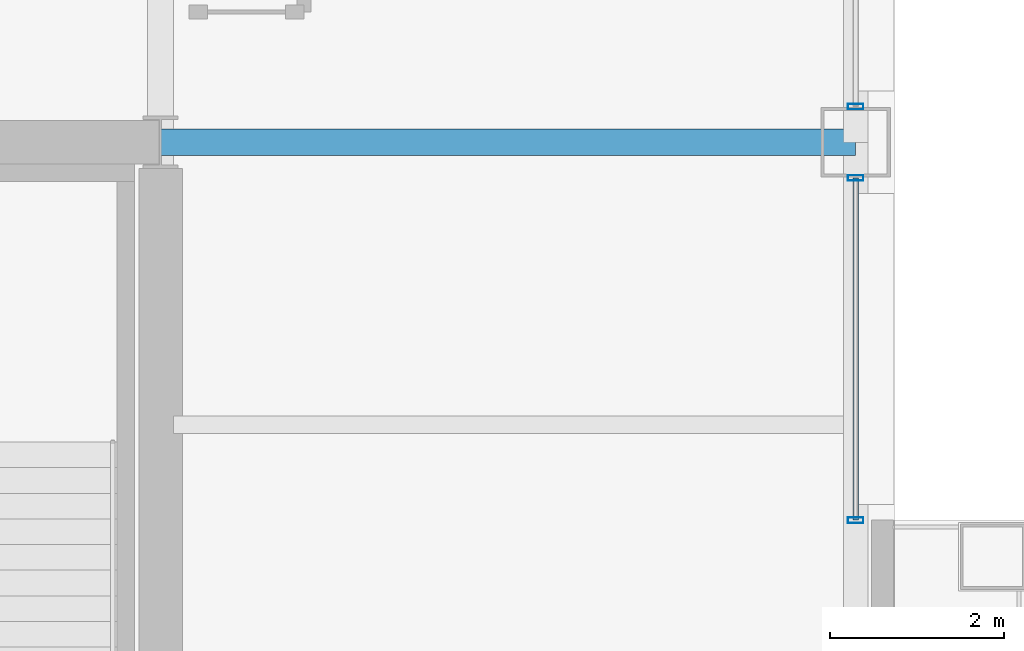
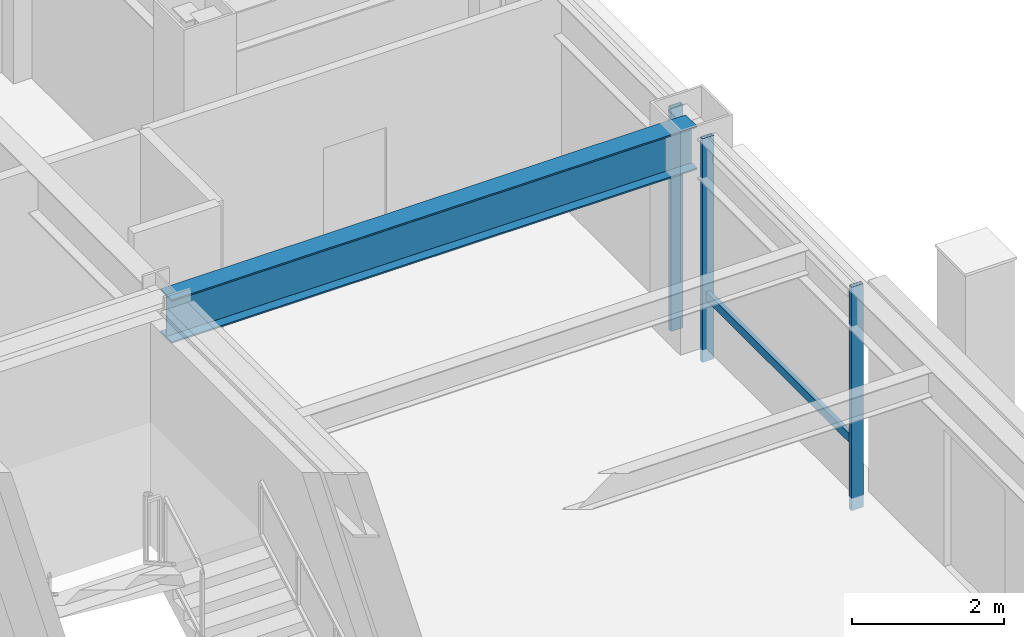
# One storey, part 16 of 29: 4 members, 1 beam, 2 elements without a shape of their own.
"""IFC4 building model written with IfcOpenShell, lengths in metres."""

from ifc_helpers import new_model, si_unit, direction, frame, origin, origin_2d, place, context, subcontext, project, spatial, hollow_rectangle, i_section, extrude, material, layer, layer_set, material_profile, profile_set, type_object, element, aggregate, save


model = new_model("IFC4")

# Units and contexts
model_context = context("Model", 3, precision=1e-05, world=origin(), true_north=direction((0.0, 1.0)))
body_context = subcontext(model_context, "Body", "Model", "MODEL_VIEW")
ifc_project = project(units=[si_unit("LENGTHUNIT", "METRE"), si_unit("AREAUNIT", "SQUARE_METRE"), si_unit("VOLUMEUNIT", "CUBIC_METRE"), si_unit("PLANEANGLEUNIT", "RADIAN"), si_unit("MASSUNIT", "GRAM", prefix="KILO")], contexts=[model_context])

# Site, building, storey
site_placement = place(None, origin())
site = spatial("IfcSite", under=ifc_project, at=site_placement, CompositionType="ELEMENT")
building_placement = place(site_placement, origin())
building = spatial("IfcBuilding", under=site, at=building_placement, Name="Brelmoor Portico Tower", CompositionType="ELEMENT")
storey_placement = place(building_placement, frame((0.0, 0.0, 135.0)))
storey = spatial("IfcBuildingStorey", under=building, at=storey_placement, Name="L35", CompositionType="ELEMENT", Elevation=135.0)

# Beam
ifc_material_1 = material(Name="Steel Q355B", Category="steel")
ifc_material_profile_1 = material_profile(ifc_material_1, i_section(OverallWidth=0.300048828125, OverallDepth=0.699951171875, WebThickness=0.012939453125, FlangeThickness=0.02392578125, at=origin_2d()), Name="HN 700x300x13x24")
ifc_profile_set_1 = profile_set([ifc_material_profile_1], Name="Steel Q355B")
beam_type = type_object("IfcBeamType", Name="BM-PG-700", PredefinedType="BEAM", material=ifc_profile_set_1)
beam_placement = place(storey_placement, frame((14.550048828125, 9.75, 3.050048828125), z_axis=(1.0, 0.0, 0.0), x_axis=(0.0, 1.0, 0.0)))
element("IfcBeam", 1, at=beam_placement, inside=storey, type_object=beam_type, Name="L35 Primary Floor Girder PG-26", PredefinedType="BEAM", context=body_context, shape_type="SweptSolid", body=[
    extrude(i_section(OverallWidth=0.300048828125, OverallDepth=0.699951171875, WebThickness=0.012939453125, FlangeThickness=0.02392578125, at=origin_2d()), origin(), (0.0, 0.0, 1.0), 8.0),
])

# Curtain wall, members
ifc_material_2 = material(Name="Anodised Aluminium Alloy 6063-T6", Category="aluminium")
ifc_layer_1 = layer(ifc_material_2, 0.179931640625)
ifc_layer_set_1 = layer_set([ifc_layer_1], Name="Anodised Aluminium Alloy 6063-T6")
curtain_wall_type_1 = type_object("IfcCurtainWallType", Name="CW-TOWER-Z2", PredefinedType="NOTDEFINED", material=ifc_layer_set_1)
curtain_wall_1_placement = place(storey_placement, origin())
curtain_wall_1 = element("IfcCurtainWall", 2, at=curtain_wall_1_placement, inside=storey, type_object=curtain_wall_type_1, Name="L35 Curtain Wall CW-L35-4R-1", PredefinedType="NOTDEFINED")
ifc_material_profile_2 = material_profile(ifc_material_2, hollow_rectangle(XDim=0.06494140625, YDim=0.179931640625, WallThickness=0.00390625, at=origin_2d()), Name="ALU MULLION 65x180")
ifc_profile_set_2 = profile_set([ifc_material_profile_2], Name="Anodised Aluminium Alloy 6063-T6")
member_type_1 = type_object("IfcMemberType", Name="MB-CW-MULL-180", PredefinedType="MULLION", material=ifc_profile_set_2)
member_1_placement = place(storey_placement, frame((22.550048828125, 5.39990234375, -0.199951171875), z_axis=(0.0, 0.0, 1.0), x_axis=(0.0, 1.0, 0.0)))
member_1 = element("IfcMember", 3, at=member_1_placement, type_object=member_type_1, Name="CW-L35-4R-1 Mullion 00", PredefinedType="MULLION", context=body_context, shape_type="SweptSolid", body=[
    extrude(hollow_rectangle(XDim=0.06494140625, YDim=0.179931640625, WallThickness=0.00390625, at=origin_2d()), origin(), (0.0, 0.0, 1.0), 3.599853515625),
])
member_2_placement = place(storey_placement, frame((22.550048828125, 9.340087890625, -0.199951171875), z_axis=(0.0, 0.0, 1.0), x_axis=(0.0, 1.0, 0.0)))
member_2 = element("IfcMember", 4, at=member_2_placement, type_object=member_type_1, Name="CW-L35-4R-1 Mullion 01", PredefinedType="MULLION", context=body_context, shape_type="SweptSolid", body=[
    extrude(hollow_rectangle(XDim=0.06494140625, YDim=0.179931640625, WallThickness=0.00390625, at=origin_2d()), origin(), (0.0, 0.0, 1.0), 3.599853515625),
])

# Curtain wall, member
ifc_layer_2 = layer(ifc_material_2, 0.179931640625)
ifc_layer_set_2 = layer_set([ifc_layer_2], Name="Anodised Aluminium Alloy 6063-T6")
curtain_wall_type_2 = type_object("IfcCurtainWallType", Name="CW-TOWER-Z2-XB", PredefinedType="NOTDEFINED", material=ifc_layer_set_2)
curtain_wall_2_placement = place(storey_placement, origin())
curtain_wall_2 = element("IfcCurtainWall", 5, at=curtain_wall_2_placement, inside=storey, type_object=curtain_wall_type_2, Name="L35 Curtain Wall CW-L35-4R-2", PredefinedType="NOTDEFINED")
member_3_placement = place(storey_placement, frame((22.550048828125, 10.159912109375, -0.199951171875), z_axis=(0.0, 0.0, 1.0), x_axis=(0.0, 1.0, 0.0)))
member_3 = element("IfcMember", 6, at=member_3_placement, type_object=member_type_1, Name="CW-L35-4R-2 Mullion 00", PredefinedType="MULLION", context=body_context, shape_type="SweptSolid", body=[
    extrude(hollow_rectangle(XDim=0.06494140625, YDim=0.179931640625, WallThickness=0.00390625, at=origin_2d()), origin(), (0.0, 0.0, 1.0), 3.599853515625),
])
aggregate(curtain_wall_2, [member_3])

# Member
ifc_material_profile_3 = material_profile(ifc_material_2, hollow_rectangle(XDim=0.06494140625, YDim=0.139892578125, WallThickness=0.00390625, at=origin_2d()), Name="ALU TRANSOM 65x140")
ifc_profile_set_3 = profile_set([ifc_material_profile_3], Name="Anodised Aluminium Alloy 6063-T6")
member_type_2 = type_object("IfcMemberType", Name="MB-CW-TRAN-140", PredefinedType="USERDEFINED", material=ifc_profile_set_3)
member_4_placement = place(storey_placement, frame((22.550048828125, 5.39990234375, 0.85009765625), z_axis=(0.0, 1.0, 0.0), x_axis=(-1.0, 0.0, 0.0)))
member_4 = element("IfcMember", 7, at=member_4_placement, type_object=member_type_2, Name="CW-L35-4R-1 Transom 1-00", ObjectType="TRANSOM", PredefinedType="USERDEFINED", context=body_context, shape_type="SweptSolid", body=[
    extrude(hollow_rectangle(XDim=0.06494140625, YDim=0.139892578125, WallThickness=0.00390625, at=origin_2d()), origin(), (0.0, 0.0, 1.0), 3.940185546875),
])

aggregate(curtain_wall_1, [member_1, member_2, member_4])

save(model, "model.ifc")
